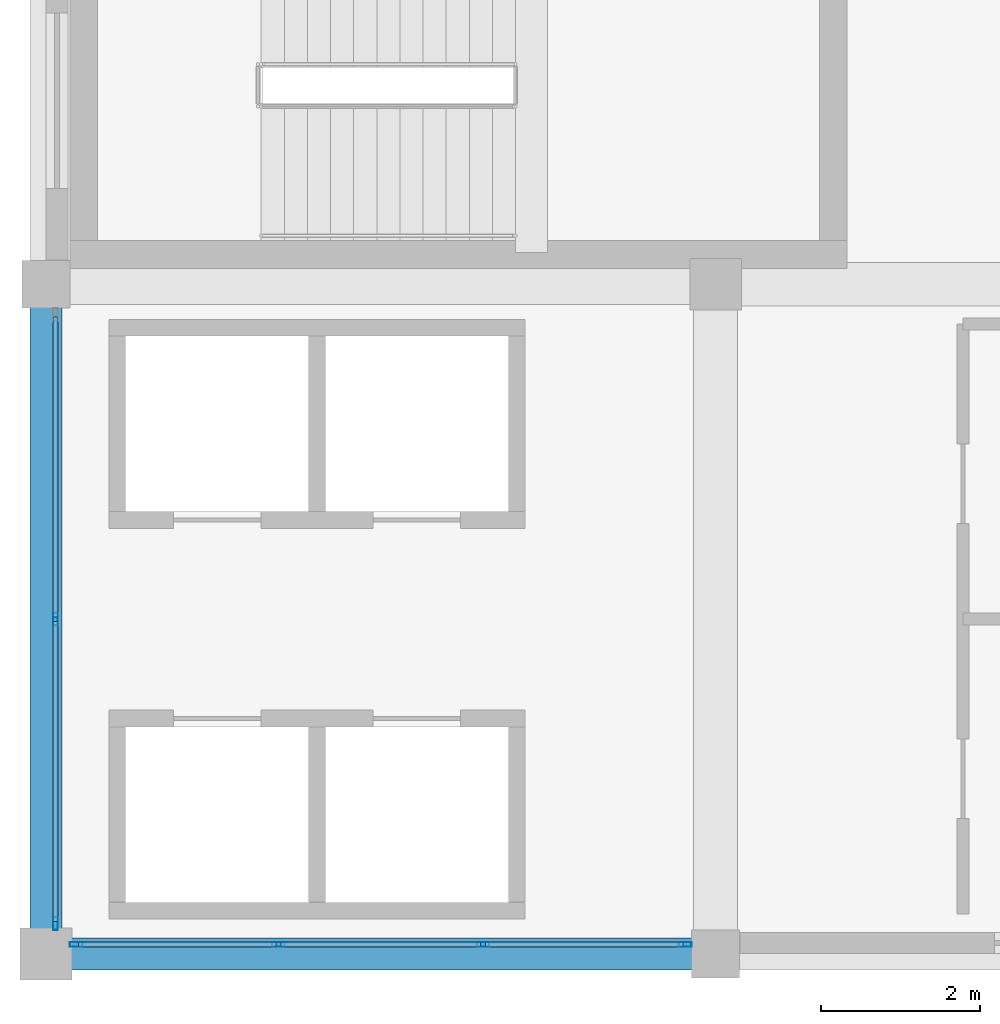
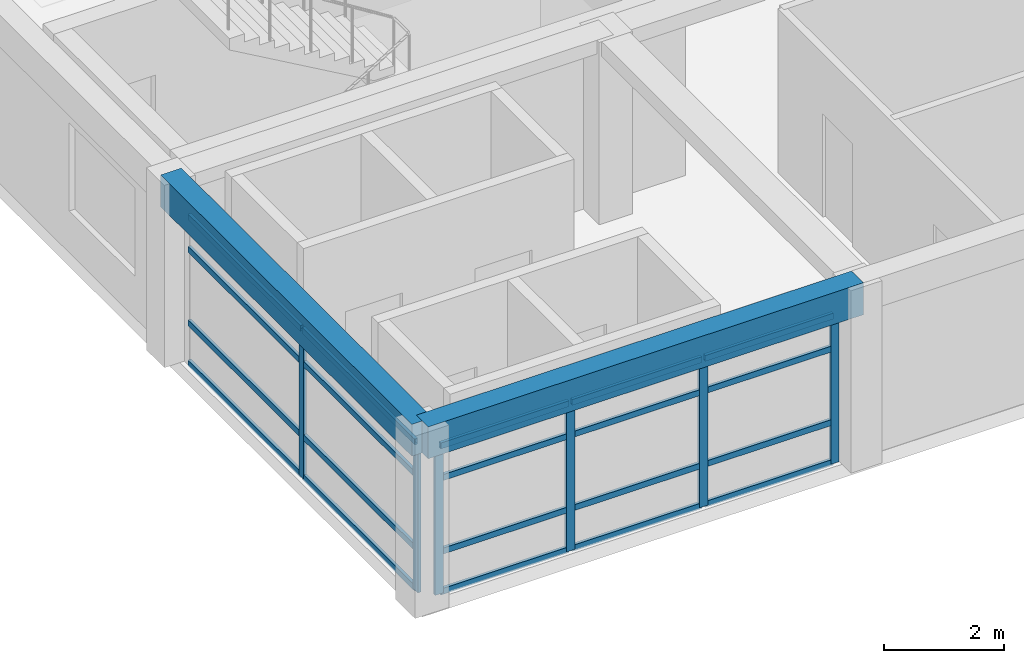
# One storey, part 2 of 25: 26 members, 2 beams, 2 elements without a shape of their own.
"""IFC4 building model written with IfcOpenShell, lengths in metres."""

from ifc_helpers import new_model, si_unit, direction, frame, origin, origin_2d, place, context, subcontext, project, spatial, rectangle, hollow_rectangle, extrude, material, material_profile, profile_set, type_object, element, aggregate, save


model = new_model("IFC4")

# Units and contexts
model_context = context("Model", 3, precision=1e-05, world=origin(), true_north=direction((0.0, 1.0)))
body_context = subcontext(model_context, "Body", "Model", "MODEL_VIEW")
ifc_project = project(units=[si_unit("LENGTHUNIT", "METRE"), si_unit("AREAUNIT", "SQUARE_METRE"), si_unit("VOLUMEUNIT", "CUBIC_METRE"), si_unit("PLANEANGLEUNIT", "RADIAN"), si_unit("MASSUNIT", "GRAM", prefix="KILO")], contexts=[model_context])

# Site, building, storey
site_placement = place(None, origin())
site = spatial("IfcSite", under=ifc_project, at=site_placement, CompositionType="ELEMENT")
building_placement = place(site_placement, origin())
building = spatial("IfcBuilding", under=site, at=building_placement, Name="Almacenes y Pasaje Nevantli", CompositionType="ELEMENT")
storey_placement = place(building_placement, frame((0.0, 0.0, 50.699951171875)))
storey = spatial("IfcBuildingStorey", under=building, at=storey_placement, Name="L12", CompositionType="ELEMENT", Elevation=50.699951171875)

# Beams
ifc_material_1 = material(Name="Concrete C35/45", Category="concrete")
ifc_material_profile_1 = material_profile(ifc_material_1, rectangle(XDim=0.39990234375, YDim=0.64990234375, at=origin_2d()), Name="RC-BM-400x650")
ifc_profile_set_1 = profile_set([ifc_material_profile_1], Name="Concrete C35/45")
beam_type = type_object("IfcBeamType", Name="BM-RC-400x650", PredefinedType="SPANDREL", material=ifc_profile_set_1)
beam_1_placement = place(storey_placement, frame((117.60009765625, 67.199951171875, 3.39501953125), z_axis=(1.0, 0.0, 0.0), x_axis=(0.0, 1.0, 0.0)))
element("IfcBeam", 1, at=beam_1_placement, inside=storey, type_object=beam_type, Name="L12 East-West Reinforced Concrete Beam #3891", PredefinedType="SPANDREL", context=body_context, shape_type="SweptSolid", body=[
    extrude(rectangle(XDim=0.39990234375, YDim=0.64990234375, at=origin_2d()), origin(), (0.0, 0.0, 1.0), 8.39990234375),
])
beam_2_placement = place(storey_placement, frame((117.60009765625, 67.199951171875, 3.39501953125), z_axis=(0.0, 1.0, 0.0), x_axis=(-1.0, 0.0, 0.0)))
element("IfcBeam", 2, at=beam_2_placement, inside=storey, type_object=beam_type, Name="L12 North-South Reinforced Concrete Beam #3916", PredefinedType="SPANDREL", context=body_context, shape_type="SweptSolid", body=[
    extrude(rectangle(XDim=0.39990234375, YDim=0.64990234375, at=origin_2d()), origin(), (0.0, 0.0, 1.0), 8.400146484375),
])

# Curtain wall, members
ifc_material_2 = material(Name="Thermally Broken Aluminium and Low-E Glass", Category="aluminium")
curtain_wall_type = type_object("IfcCurtainWallType", Name="CW-UNIT-TOWER", PredefinedType="USERDEFINED", material=ifc_material_2)
curtain_wall_1_placement = place(storey_placement, origin())
curtain_wall_1 = element("IfcCurtainWall", 3, at=curtain_wall_1_placement, inside=storey, type_object=curtain_wall_type, Name="L12 Tower South Unitized Curtain Wall Bay 15", ObjectType="UNITIZED CURTAIN WALL", PredefinedType="USERDEFINED")
ifc_material_3 = material(Name="Thermally Broken Anodized Aluminium", Category="aluminium")
ifc_material_profile_2 = material_profile(ifc_material_3, hollow_rectangle(XDim=0.06005859375, YDim=0.159912109375, WallThickness=0.00390625, at=origin_2d()), Name="ALU-MUL-60x160")
ifc_profile_set_2 = profile_set([ifc_material_profile_2], Name="Thermally Broken Anodized Aluminium")
member_type_1 = type_object("IfcMemberType", Name="CW-MUL-180", PredefinedType="MULLION", material=ifc_profile_set_2)
member_1_placement = place(storey_placement, frame((117.97998046875, 67.320068359375, 0.0), z_axis=(0.0, 0.0, 1.0), x_axis=(0.0, 1.0, 0.0)))
member_1 = element("IfcMember", 4, at=member_1_placement, type_object=member_type_1, Name="CW-L12-159 mullion 1", PredefinedType="MULLION", context=body_context, shape_type="SweptSolid", body=[
    extrude(hollow_rectangle(XDim=0.06005859375, YDim=0.159912109375, WallThickness=0.00390625, at=origin_2d()), origin(), (0.0, 0.0, 1.0), 3.0400390625),
])
member_2_placement = place(storey_placement, frame((120.5166015625, 67.320068359375, 0.0), z_axis=(0.0, 0.0, 1.0), x_axis=(0.0, 1.0, 0.0)))
member_2 = element("IfcMember", 5, at=member_2_placement, type_object=member_type_1, Name="CW-L12-159 mullion 2", PredefinedType="MULLION", context=body_context, shape_type="SweptSolid", body=[
    extrude(hollow_rectangle(XDim=0.06005859375, YDim=0.159912109375, WallThickness=0.00390625, at=origin_2d()), origin(), (0.0, 0.0, 1.0), 3.0400390625),
])
member_3_placement = place(storey_placement, frame((123.083251953125, 67.320068359375, 0.0), z_axis=(0.0, 0.0, 1.0), x_axis=(0.0, 1.0, 0.0)))
member_3 = element("IfcMember", 6, at=member_3_placement, type_object=member_type_1, Name="CW-L12-159 mullion 3", PredefinedType="MULLION", context=body_context, shape_type="SweptSolid", body=[
    extrude(hollow_rectangle(XDim=0.06005859375, YDim=0.159912109375, WallThickness=0.00390625, at=origin_2d()), origin(), (0.0, 0.0, 1.0), 3.0400390625),
])
member_4_placement = place(storey_placement, frame((125.6201171875, 67.320068359375, 0.0), z_axis=(0.0, 0.0, 1.0), x_axis=(0.0, 1.0, 0.0)))
member_4 = element("IfcMember", 7, at=member_4_placement, type_object=member_type_1, Name="CW-L12-159 mullion 4", PredefinedType="MULLION", context=body_context, shape_type="SweptSolid", body=[
    extrude(hollow_rectangle(XDim=0.06005859375, YDim=0.159912109375, WallThickness=0.00390625, at=origin_2d()), origin(), (0.0, 0.0, 1.0), 3.0400390625),
])

curtain_wall_2_placement = place(storey_placement, origin())
curtain_wall_2 = element("IfcCurtainWall", 8, at=curtain_wall_2_placement, inside=storey, type_object=curtain_wall_type, Name="L12 Tower West Curtain Wall Bay 9", ObjectType="UNITIZED CURTAIN WALL", PredefinedType="USERDEFINED")
member_5_placement = place(storey_placement, frame((117.719970703125, 67.580078125, 0.0), z_axis=(0.0, 0.0, 1.0), x_axis=(-1.0, 0.0, 0.0)))
member_5 = element("IfcMember", 9, at=member_5_placement, type_object=member_type_1, Name="CW-L12-164 mullion 1", PredefinedType="MULLION", context=body_context, shape_type="SweptSolid", body=[
    extrude(hollow_rectangle(XDim=0.06005859375, YDim=0.159912109375, WallThickness=0.00390625, at=origin_2d()), origin(), (0.0, 0.0, 1.0), 3.0400390625),
])
member_6_placement = place(storey_placement, frame((117.719970703125, 71.39990234375, 0.0), z_axis=(0.0, 0.0, 1.0), x_axis=(-1.0, 0.0, 0.0)))
member_6 = element("IfcMember", 10, at=member_6_placement, type_object=member_type_1, Name="CW-L12-164 mullion 2", PredefinedType="MULLION", context=body_context, shape_type="SweptSolid", body=[
    extrude(hollow_rectangle(XDim=0.06005859375, YDim=0.159912109375, WallThickness=0.00390625, at=origin_2d()), origin(), (0.0, 0.0, 1.0), 3.0400390625),
])

# Member
ifc_material_4 = material(Name="Thermally Broken Anodized Aluminium", Category="aluminium")
ifc_material_profile_3 = material_profile(ifc_material_4, hollow_rectangle(XDim=0.06005859375, YDim=0.1201171875, WallThickness=0.00341796875, at=origin_2d()), Name="ALU-TRN-60x120")
ifc_profile_set_3 = profile_set([ifc_material_profile_3], Name="Thermally Broken Anodized Aluminium")
member_type_2 = type_object("IfcMemberType", Name="CW-TRN-130", PredefinedType="USERDEFINED", material=ifc_profile_set_3)
member_7_placement = place(storey_placement, frame((118.010009765625, 67.320068359375, 0.030029296875), z_axis=(1.0, 0.0, 0.0), x_axis=(0.0, 1.0, 0.0)))
member_7 = element("IfcMember", 11, at=member_7_placement, type_object=member_type_2, Name="CW-L12-159 transom 1.1", ObjectType="TRANSOM", PredefinedType="USERDEFINED", context=body_context, shape_type="SweptSolid", body=[
    extrude(hollow_rectangle(XDim=0.06005859375, YDim=0.1201171875, WallThickness=0.00341796875, at=origin_2d()), origin(), (0.0, 0.0, 1.0), 2.4765625),
])

member_8_placement = place(storey_placement, frame((118.010009765625, 67.320068359375, 0.85009765625), z_axis=(1.0, 0.0, 0.0), x_axis=(0.0, 1.0, 0.0)))
member_8 = element("IfcMember", 12, at=member_8_placement, type_object=member_type_2, Name="CW-L12-159 transom 1.2", ObjectType="TRANSOM", PredefinedType="USERDEFINED", context=body_context, shape_type="SweptSolid", body=[
    extrude(hollow_rectangle(XDim=0.06005859375, YDim=0.1201171875, WallThickness=0.00341796875, at=origin_2d()), origin(), (0.0, 0.0, 1.0), 2.4765625),
])

member_9_placement = place(storey_placement, frame((118.010009765625, 67.320068359375, 2.35009765625), z_axis=(1.0, 0.0, 0.0), x_axis=(0.0, 1.0, 0.0)))
member_9 = element("IfcMember", 13, at=member_9_placement, type_object=member_type_2, Name="CW-L12-159 transom 1.3", ObjectType="TRANSOM", PredefinedType="USERDEFINED", context=body_context, shape_type="SweptSolid", body=[
    extrude(hollow_rectangle(XDim=0.06005859375, YDim=0.1201171875, WallThickness=0.00341796875, at=origin_2d()), origin(), (0.0, 0.0, 1.0), 2.4765625),
])

member_10_placement = place(storey_placement, frame((118.010009765625, 67.320068359375, 3.010009765625), z_axis=(1.0, 0.0, 0.0), x_axis=(0.0, 1.0, 0.0)))
member_10 = element("IfcMember", 14, at=member_10_placement, type_object=member_type_2, Name="CW-L12-159 transom 1.4", ObjectType="TRANSOM", PredefinedType="USERDEFINED", context=body_context, shape_type="SweptSolid", body=[
    extrude(hollow_rectangle(XDim=0.06005859375, YDim=0.1201171875, WallThickness=0.00341796875, at=origin_2d()), origin(), (0.0, 0.0, 1.0), 2.4765625),
])

member_11_placement = place(storey_placement, frame((120.546630859375, 67.320068359375, 0.030029296875), z_axis=(1.0, 0.0, 0.0), x_axis=(0.0, 1.0, 0.0)))
member_11 = element("IfcMember", 15, at=member_11_placement, type_object=member_type_2, Name="CW-L12-159 transom 2.1", ObjectType="TRANSOM", PredefinedType="USERDEFINED", context=body_context, shape_type="SweptSolid", body=[
    extrude(hollow_rectangle(XDim=0.06005859375, YDim=0.1201171875, WallThickness=0.00341796875, at=origin_2d()), origin(), (0.0, 0.0, 1.0), 2.506591796875),
])

member_12_placement = place(storey_placement, frame((120.546630859375, 67.320068359375, 0.85009765625), z_axis=(1.0, 0.0, 0.0), x_axis=(0.0, 1.0, 0.0)))
member_12 = element("IfcMember", 16, at=member_12_placement, type_object=member_type_2, Name="CW-L12-159 transom 2.2", ObjectType="TRANSOM", PredefinedType="USERDEFINED", context=body_context, shape_type="SweptSolid", body=[
    extrude(hollow_rectangle(XDim=0.06005859375, YDim=0.1201171875, WallThickness=0.00341796875, at=origin_2d()), origin(), (0.0, 0.0, 1.0), 2.506591796875),
])

member_13_placement = place(storey_placement, frame((120.546630859375, 67.320068359375, 2.35009765625), z_axis=(1.0, 0.0, 0.0), x_axis=(0.0, 1.0, 0.0)))
member_13 = element("IfcMember", 17, at=member_13_placement, type_object=member_type_2, Name="CW-L12-159 transom 2.3", ObjectType="TRANSOM", PredefinedType="USERDEFINED", context=body_context, shape_type="SweptSolid", body=[
    extrude(hollow_rectangle(XDim=0.06005859375, YDim=0.1201171875, WallThickness=0.00341796875, at=origin_2d()), origin(), (0.0, 0.0, 1.0), 2.506591796875),
])

member_14_placement = place(storey_placement, frame((120.546630859375, 67.320068359375, 3.010009765625), z_axis=(1.0, 0.0, 0.0), x_axis=(0.0, 1.0, 0.0)))
member_14 = element("IfcMember", 18, at=member_14_placement, type_object=member_type_2, Name="CW-L12-159 transom 2.4", ObjectType="TRANSOM", PredefinedType="USERDEFINED", context=body_context, shape_type="SweptSolid", body=[
    extrude(hollow_rectangle(XDim=0.06005859375, YDim=0.1201171875, WallThickness=0.00341796875, at=origin_2d()), origin(), (0.0, 0.0, 1.0), 2.506591796875),
])

member_15_placement = place(storey_placement, frame((123.11328125, 67.320068359375, 0.030029296875), z_axis=(1.0, 0.0, 0.0), x_axis=(0.0, 1.0, 0.0)))
member_15 = element("IfcMember", 19, at=member_15_placement, type_object=member_type_2, Name="CW-L12-159 transom 3.1", ObjectType="TRANSOM", PredefinedType="USERDEFINED", context=body_context, shape_type="SweptSolid", body=[
    extrude(hollow_rectangle(XDim=0.06005859375, YDim=0.1201171875, WallThickness=0.00341796875, at=origin_2d()), origin(), (0.0, 0.0, 1.0), 2.476806640625),
])

member_16_placement = place(storey_placement, frame((123.11328125, 67.320068359375, 0.85009765625), z_axis=(1.0, 0.0, 0.0), x_axis=(0.0, 1.0, 0.0)))
member_16 = element("IfcMember", 20, at=member_16_placement, type_object=member_type_2, Name="CW-L12-159 transom 3.2", ObjectType="TRANSOM", PredefinedType="USERDEFINED", context=body_context, shape_type="SweptSolid", body=[
    extrude(hollow_rectangle(XDim=0.06005859375, YDim=0.1201171875, WallThickness=0.00341796875, at=origin_2d()), origin(), (0.0, 0.0, 1.0), 2.476806640625),
])

member_17_placement = place(storey_placement, frame((123.11328125, 67.320068359375, 2.35009765625), z_axis=(1.0, 0.0, 0.0), x_axis=(0.0, 1.0, 0.0)))
member_17 = element("IfcMember", 21, at=member_17_placement, type_object=member_type_2, Name="CW-L12-159 transom 3.3", ObjectType="TRANSOM", PredefinedType="USERDEFINED", context=body_context, shape_type="SweptSolid", body=[
    extrude(hollow_rectangle(XDim=0.06005859375, YDim=0.1201171875, WallThickness=0.00341796875, at=origin_2d()), origin(), (0.0, 0.0, 1.0), 2.476806640625),
])

member_18_placement = place(storey_placement, frame((123.11328125, 67.320068359375, 3.010009765625), z_axis=(1.0, 0.0, 0.0), x_axis=(0.0, 1.0, 0.0)))
member_18 = element("IfcMember", 22, at=member_18_placement, type_object=member_type_2, Name="CW-L12-159 transom 3.4", ObjectType="TRANSOM", PredefinedType="USERDEFINED", context=body_context, shape_type="SweptSolid", body=[
    extrude(hollow_rectangle(XDim=0.06005859375, YDim=0.1201171875, WallThickness=0.00341796875, at=origin_2d()), origin(), (0.0, 0.0, 1.0), 2.476806640625),
])

aggregate(curtain_wall_1, [member_1, member_2, member_3, member_4, member_7, member_8, member_9, member_10, member_11, member_12, member_13, member_14, member_15, member_16, member_17, member_18])

member_19_placement = place(storey_placement, frame((117.719970703125, 67.610107421875, 0.030029296875), z_axis=(0.0, 1.0, 0.0), x_axis=(-1.0, 0.0, 0.0)))
member_19 = element("IfcMember", 23, at=member_19_placement, type_object=member_type_2, Name="CW-L12-164 transom 1.1", ObjectType="TRANSOM", PredefinedType="USERDEFINED", context=body_context, shape_type="SweptSolid", body=[
    extrude(hollow_rectangle(XDim=0.06005859375, YDim=0.1201171875, WallThickness=0.00341796875, at=origin_2d()), origin(), (0.0, 0.0, 1.0), 3.760009765625),
])

member_20_placement = place(storey_placement, frame((117.719970703125, 67.610107421875, 0.85009765625), z_axis=(0.0, 1.0, 0.0), x_axis=(-1.0, 0.0, 0.0)))
member_20 = element("IfcMember", 24, at=member_20_placement, type_object=member_type_2, Name="CW-L12-164 transom 1.2", ObjectType="TRANSOM", PredefinedType="USERDEFINED", context=body_context, shape_type="SweptSolid", body=[
    extrude(hollow_rectangle(XDim=0.06005859375, YDim=0.1201171875, WallThickness=0.00341796875, at=origin_2d()), origin(), (0.0, 0.0, 1.0), 3.760009765625),
])

member_21_placement = place(storey_placement, frame((117.719970703125, 67.610107421875, 2.35009765625), z_axis=(0.0, 1.0, 0.0), x_axis=(-1.0, 0.0, 0.0)))
member_21 = element("IfcMember", 25, at=member_21_placement, type_object=member_type_2, Name="CW-L12-164 transom 1.3", ObjectType="TRANSOM", PredefinedType="USERDEFINED", context=body_context, shape_type="SweptSolid", body=[
    extrude(hollow_rectangle(XDim=0.06005859375, YDim=0.1201171875, WallThickness=0.00341796875, at=origin_2d()), origin(), (0.0, 0.0, 1.0), 3.760009765625),
])

member_22_placement = place(storey_placement, frame((117.719970703125, 67.610107421875, 3.010009765625), z_axis=(0.0, 1.0, 0.0), x_axis=(-1.0, 0.0, 0.0)))
member_22 = element("IfcMember", 26, at=member_22_placement, type_object=member_type_2, Name="CW-L12-164 transom 1.4", ObjectType="TRANSOM", PredefinedType="USERDEFINED", context=body_context, shape_type="SweptSolid", body=[
    extrude(hollow_rectangle(XDim=0.06005859375, YDim=0.1201171875, WallThickness=0.00341796875, at=origin_2d()), origin(), (0.0, 0.0, 1.0), 3.760009765625),
])

member_23_placement = place(storey_placement, frame((117.719970703125, 71.429931640625, 0.030029296875), z_axis=(0.0, 1.0, 0.0), x_axis=(-1.0, 0.0, 0.0)))
member_23 = element("IfcMember", 27, at=member_23_placement, type_object=member_type_2, Name="CW-L12-164 transom 2.1", ObjectType="TRANSOM", PredefinedType="USERDEFINED", context=body_context, shape_type="SweptSolid", body=[
    extrude(hollow_rectangle(XDim=0.06005859375, YDim=0.1201171875, WallThickness=0.00341796875, at=origin_2d()), origin(), (0.0, 0.0, 1.0), 3.760009765625),
])

member_24_placement = place(storey_placement, frame((117.719970703125, 71.429931640625, 0.85009765625), z_axis=(0.0, 1.0, 0.0), x_axis=(-1.0, 0.0, 0.0)))
member_24 = element("IfcMember", 28, at=member_24_placement, type_object=member_type_2, Name="CW-L12-164 transom 2.2", ObjectType="TRANSOM", PredefinedType="USERDEFINED", context=body_context, shape_type="SweptSolid", body=[
    extrude(hollow_rectangle(XDim=0.06005859375, YDim=0.1201171875, WallThickness=0.00341796875, at=origin_2d()), origin(), (0.0, 0.0, 1.0), 3.760009765625),
])

member_25_placement = place(storey_placement, frame((117.719970703125, 71.429931640625, 2.35009765625), z_axis=(0.0, 1.0, 0.0), x_axis=(-1.0, 0.0, 0.0)))
member_25 = element("IfcMember", 29, at=member_25_placement, type_object=member_type_2, Name="CW-L12-164 transom 2.3", ObjectType="TRANSOM", PredefinedType="USERDEFINED", context=body_context, shape_type="SweptSolid", body=[
    extrude(hollow_rectangle(XDim=0.06005859375, YDim=0.1201171875, WallThickness=0.00341796875, at=origin_2d()), origin(), (0.0, 0.0, 1.0), 3.760009765625),
])

member_26_placement = place(storey_placement, frame((117.719970703125, 71.429931640625, 3.010009765625), z_axis=(0.0, 1.0, 0.0), x_axis=(-1.0, 0.0, 0.0)))
member_26 = element("IfcMember", 30, at=member_26_placement, type_object=member_type_2, Name="CW-L12-164 transom 2.4", ObjectType="TRANSOM", PredefinedType="USERDEFINED", context=body_context, shape_type="SweptSolid", body=[
    extrude(hollow_rectangle(XDim=0.06005859375, YDim=0.1201171875, WallThickness=0.00341796875, at=origin_2d()), origin(), (0.0, 0.0, 1.0), 3.760009765625),
])

aggregate(curtain_wall_2, [member_5, member_6, member_19, member_20, member_21, member_22, member_23, member_24, member_25, member_26])

save(model, "model.ifc")
